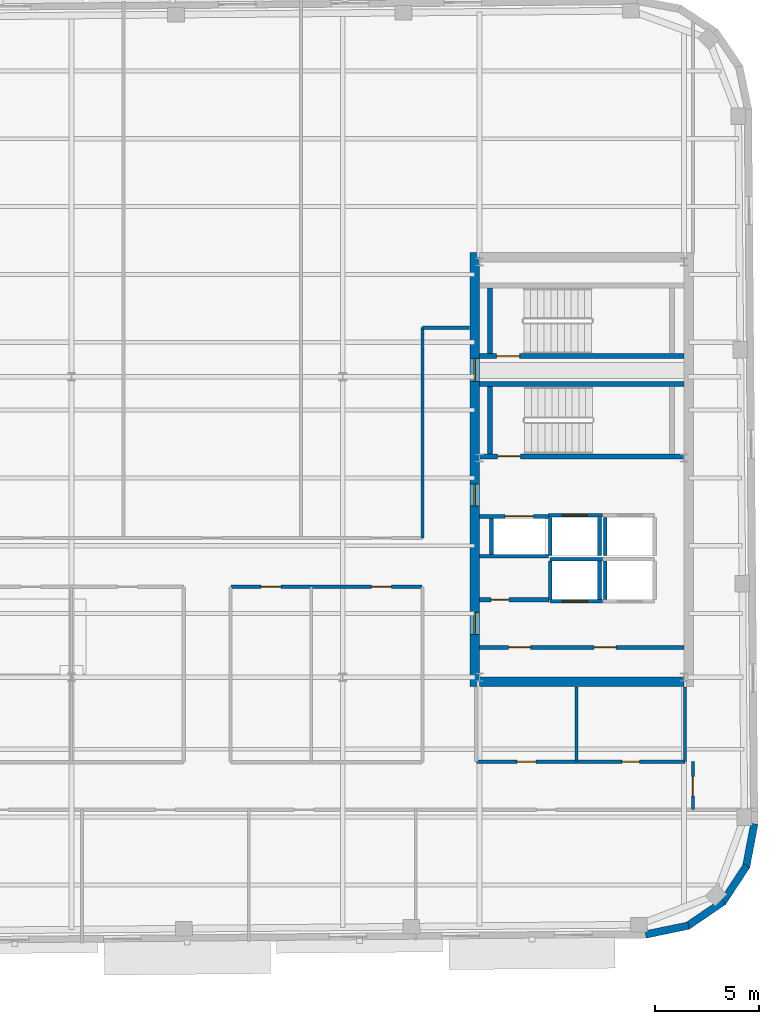
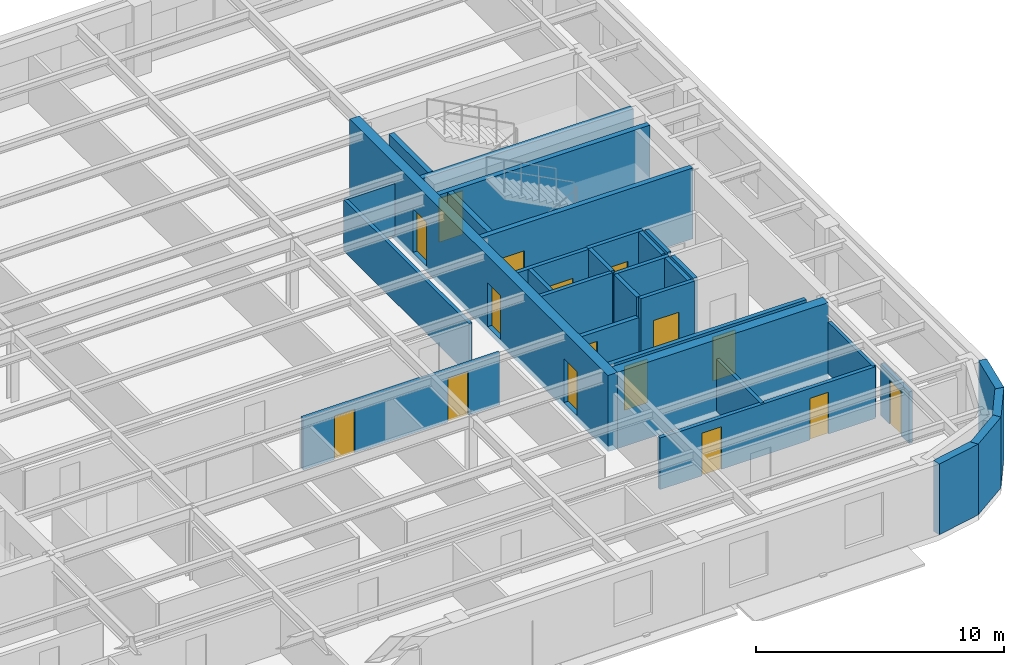
# One storey, part 8 of 13: 32 walls, 16 doors, 16 openings.
"""IFC4 building model written with IfcOpenShell, lengths in metres."""

from ifc_helpers import new_model, si_unit, direction, frame, frame_2d, origin, place, context, subcontext, project, spatial, rectangle, extrude, material, layer, layer_set, type_object, element, fill, save


model = new_model("IFC4")

# Units and contexts
model_context = context("Model", 3, precision=1e-05, world=origin(), true_north=direction((0.0, 1.0)))
body_context = subcontext(model_context, "Body", "Model", "MODEL_VIEW")
ifc_project = project(units=[si_unit("LENGTHUNIT", "METRE"), si_unit("AREAUNIT", "SQUARE_METRE"), si_unit("VOLUMEUNIT", "CUBIC_METRE"), si_unit("PLANEANGLEUNIT", "RADIAN"), si_unit("MASSUNIT", "GRAM", prefix="KILO")], contexts=[model_context])

# Site, building, storey
site_placement = place(None, origin())
site = spatial("IfcSite", under=ifc_project, at=site_placement, CompositionType="ELEMENT")
building_placement = place(site_placement, origin())
building = spatial("IfcBuilding", under=site, at=building_placement, Name="Kolvaren Arena Tower", CompositionType="ELEMENT")
storey_placement = place(building_placement, frame((0.0, 0.0, 286.14990234375)))
storey = spatial("IfcBuildingStorey", under=building, at=storey_placement, Name="L70", CompositionType="ELEMENT", Elevation=286.14990234375)

# Wall, openings, doors
ifc_material_1 = material(Name="Gypsum board acoustic assembly", Category="gypsum")
ifc_layer_1 = layer(ifc_material_1, 0.159912109375)
ifc_layer_set_1 = layer_set([ifc_layer_1], Name="Gypsum board acoustic assembly")
wall_type_1 = type_object("IfcWallType", Name="CORR-160", PredefinedType="PARTITIONING", material=ifc_layer_set_1)
wall_1_placement = place(storey_placement, frame((38.639892578125, 23.780029296875, 0.0), z_axis=(0.0, 0.0, 1.0), x_axis=(1.0, 0.0, 0.0)))
wall_1 = element("IfcWall", 1, at=wall_1_placement, inside=storey, type_object=wall_type_1, Name="Interior Partition Wall (L70)", PredefinedType="PARTITIONING", context=body_context, shape_type="SweptSolid", body=[
    extrude(rectangle(XDim=9.16015625, YDim=0.159912109375, at=frame_2d((4.580078125, 0.0))), origin(), (0.0, 0.0, 1.0), 2.5400390625),
])
opening_1_placement = place(wall_1_placement, frame((1.455078125, 0.0, 0.0)))
opening_1 = element("IfcOpeningElement", 2, at=opening_1_placement, cuts=wall_1, Name="Opening D05", PredefinedType="OPENING", context=body_context, shape_type="SweptSolid", body=[
    extrude(rectangle(XDim=0.949951171875, YDim=2.14990234375, at=frame_2d((0.47509765625, 1.074951171875))), frame((0.0, 0.08984375, 0.0), z_axis=(0.0, -1.0, 0.0), x_axis=(1.0, 0.0, 0.0)), (0.0, 0.0, 1.0), 0.179931640625),
])
opening_2_placement = place(wall_1_placement, frame((6.735107421875, 0.0, 0.0)))
opening_2 = element("IfcOpeningElement", 3, at=opening_2_placement, cuts=wall_1, Name="Opening D05", PredefinedType="OPENING", context=body_context, shape_type="SweptSolid", body=[
    extrude(rectangle(XDim=0.949951171875, YDim=2.14990234375, at=frame_2d((0.47509765625, 1.074951171875))), frame((0.0, 0.08984375, 0.0), z_axis=(0.0, -1.0, 0.0), x_axis=(1.0, 0.0, 0.0)), (0.0, 0.0, 1.0), 0.179931640625),
])
ifc_material_2 = material(Name="Solid-core oak acoustic office door", Category="wood")
door_type_1 = type_object("IfcDoorType", Name="DOOR-OF-095", OperationType="NOTDEFINED", PredefinedType="DOOR", material=ifc_material_2)
door_1_placement = place(opening_1_placement, origin())
door_1 = element("IfcDoor", 4, at=door_1_placement, inside=storey, type_object=door_type_1, Name="Breakout Pantry and Kitchen Door (L70)", OperationType="SINGLE_SWING_RIGHT", OverallHeight=2.14990234375, OverallWidth=0.949951171875, PredefinedType="DOOR", context=body_context, shape_type="SweptSolid", body=[
    extrude(rectangle(XDim=0.949951171875, YDim=2.14990234375, at=frame_2d((0.47509765625, 1.074951171875))), frame((0.0, 0.02490234375, 0.0), z_axis=(0.0, -1.0, 0.0), x_axis=(1.0, 0.0, 0.0)), (0.0, 0.0, 1.0), 0.050048828125),
])
fill(opening_1, door_1)
door_2_placement = place(opening_2_placement, origin())
door_2 = element("IfcDoor", 5, at=door_2_placement, inside=storey, type_object=door_type_1, Name="Client Lounge Door (L70)", OperationType="SINGLE_SWING_LEFT", OverallHeight=2.14990234375, OverallWidth=0.949951171875, PredefinedType="DOOR", context=body_context, shape_type="SweptSolid", body=[
    extrude(rectangle(XDim=0.949951171875, YDim=2.14990234375, at=frame_2d((0.47509765625, 1.074951171875))), frame((0.0, 0.02490234375, 0.0), z_axis=(0.0, -1.0, 0.0), x_axis=(1.0, 0.0, 0.0)), (0.0, 0.0, 1.0), 0.050048828125),
])
fill(opening_2, door_2)

# Walls
wall_2_placement = place(storey_placement, frame((47.820068359375, 26.1201171875, 0.0), z_axis=(0.0, 0.0, 1.0), x_axis=(0.0, 1.0, 0.0)))
element("IfcWall", 6, at=wall_2_placement, inside=storey, type_object=wall_type_1, Name="Interior Partition Wall (L70)", PredefinedType="PARTITIONING", context=body_context, shape_type="SweptSolid", body=[
    extrude(rectangle(XDim=10.079833984375, YDim=0.159912109375, at=frame_2d((5.0400390625, 0.0))), origin(), (0.0, 0.0, 1.0), 2.5400390625),
])
wall_3_placement = place(storey_placement, frame((47.820068359375, 36.199951171875, 0.0), z_axis=(0.0, 0.0, 1.0), x_axis=(1.0, 0.0, 0.0)))
element("IfcWall", 7, at=wall_3_placement, inside=storey, type_object=wall_type_1, Name="Interior Partition Wall (L70)", PredefinedType="PARTITIONING", context=body_context, shape_type="SweptSolid", body=[
    extrude(rectangle(XDim=2.260009765625, YDim=0.159912109375, at=frame_2d((1.1298828125, 0.0))), origin(), (0.0, 0.0, 1.0), 2.5400390625),
])

# Wall, opening, door
wall_4_placement = place(storey_placement, frame((60.780029296875, 13.10009765625, 0.0), z_axis=(0.0, 0.0, 1.0), x_axis=(0.0, 1.0, 0.0)))
wall_4 = element("IfcWall", 8, at=wall_4_placement, inside=storey, type_object=wall_type_1, Name="Interior Partition Wall (L70)", PredefinedType="PARTITIONING", context=body_context, shape_type="SweptSolid", body=[
    extrude(rectangle(XDim=2.2998046875, YDim=0.159912109375, at=frame_2d((1.14990234375, 0.0))), origin(), (0.0, 0.0, 1.0), 2.5400390625),
])
opening_3_placement = place(wall_4_placement, frame((0.64990234375, 0.0, 0.0)))
opening_3 = element("IfcOpeningElement", 9, at=opening_3_placement, cuts=wall_4, Name="Opening D05", PredefinedType="OPENING", context=body_context, shape_type="SweptSolid", body=[
    extrude(rectangle(XDim=0.949951171875, YDim=2.14990234375, at=frame_2d((0.47509765625, 1.074951171875))), frame((0.0, 0.08984375, 0.0), z_axis=(0.0, -1.0, 0.0), x_axis=(1.0, 0.0, 0.0)), (0.0, 0.0, 1.0), 0.179931640625),
])
door_3_placement = place(opening_3_placement, origin())
door_3 = element("IfcDoor", 10, at=door_3_placement, inside=storey, type_object=door_type_1, Name="East Wing Studio Door (L70)", OperationType="SINGLE_SWING_RIGHT", OverallHeight=2.14990234375, OverallWidth=0.949951171875, PredefinedType="DOOR", context=body_context, shape_type="SweptSolid", body=[
    extrude(rectangle(XDim=0.949951171875, YDim=2.14990234375, at=frame_2d((0.47509765625, 1.074951171875))), frame((0.0, 0.02490234375, 0.0), z_axis=(0.0, -1.0, 0.0), x_axis=(1.0, 0.0, 0.0)), (0.0, 0.0, 1.0), 0.050048828125),
])
fill(opening_3, door_3)

# Wall, openings, doors
ifc_material_3 = material(Name="Concrete 55 MPa", Category="concrete")
ifc_layer_2 = layer(ifc_material_3, 0.449951171875)
ifc_layer_set_2 = layer_set([ifc_layer_2], Name="Concrete 55 MPa")
wall_type_2 = type_object("IfcWallType", Name="CWALL-450", PredefinedType="SHEAR", material=ifc_layer_set_2)
wall_5_placement = place(storey_placement, frame((50.324951171875, 19.0, -0.27001953125), z_axis=(0.0, 0.0, 1.0), x_axis=(0.0, 1.0, 0.0)))
wall_5 = element("IfcWall", 11, at=wall_5_placement, inside=storey, type_object=wall_type_2, Name="Core Shear Wall EC-WEST (L70)", PredefinedType="SHEAR", context=body_context, shape_type="SweptSolid", body=[
    extrude(rectangle(XDim=20.800048828125, YDim=0.449951171875, at=frame_2d((10.39990234375, 0.0))), origin(), (0.0, 0.0, 1.0), 3.75),
])
opening_4_placement = place(wall_5_placement, frame((2.5, 0.0, 0.27001953125)))
opening_4 = element("IfcOpeningElement", 12, at=opening_4_placement, cuts=wall_5, Name="Opening D04", PredefinedType="OPENING", context=body_context, shape_type="SweptSolid", body=[
    extrude(rectangle(XDim=1.050048828125, YDim=2.14990234375, at=frame_2d((0.52490234375, 1.074951171875))), frame((0.0, 0.23486328125, 0.0), z_axis=(0.0, -1.0, 0.0), x_axis=(1.0, 0.0, 0.0)), (0.0, 0.0, 1.0), 0.469970703125),
])
opening_5_placement = place(wall_5_placement, frame((8.64990234375, 0.0, 0.27001953125)))
opening_5 = element("IfcOpeningElement", 13, at=opening_5_placement, cuts=wall_5, Name="Opening D04", PredefinedType="OPENING", context=body_context, shape_type="SweptSolid", body=[
    extrude(rectangle(XDim=1.050048828125, YDim=2.14990234375, at=frame_2d((0.52490234375, 1.074951171875))), frame((0.0, 0.23486328125, 0.0), z_axis=(0.0, -1.0, 0.0), x_axis=(1.0, 0.0, 0.0)), (0.0, 0.0, 1.0), 0.469970703125),
])
opening_6_placement = place(wall_5_placement, frame((14.6201171875, 0.0, 0.27001953125)))
opening_6 = element("IfcOpeningElement", 14, at=opening_6_placement, cuts=wall_5, Name="Opening D03", PredefinedType="OPENING", context=body_context, shape_type="SweptSolid", body=[
    extrude(rectangle(XDim=1.10009765625, YDim=2.14990234375, at=frame_2d((0.550048828125, 1.074951171875))), frame((0.0, 0.23486328125, 0.0), z_axis=(0.0, -1.0, 0.0), x_axis=(1.0, 0.0, 0.0)), (0.0, 0.0, 1.0), 0.469970703125),
])
ifc_material_4 = material(Name="Fire-rated steel lobby door", Category="steel")
door_type_2 = type_object("IfcDoorType", Name="DOOR-FF-105", OperationType="NOTDEFINED", PredefinedType="DOOR", material=ifc_material_4)
door_4_placement = place(opening_4_placement, origin())
door_4 = element("IfcDoor", 15, at=door_4_placement, inside=storey, type_object=door_type_2, Name="East Lift Lobby Fire Door (L70)", OperationType="SINGLE_SWING_RIGHT", OverallHeight=2.14990234375, OverallWidth=1.050048828125, PredefinedType="DOOR", context=body_context, shape_type="SweptSolid", body=[
    extrude(rectangle(XDim=1.050048828125, YDim=2.14990234375, at=frame_2d((0.52490234375, 1.074951171875))), frame((0.0, 0.02490234375, 0.0), z_axis=(0.0, -1.0, 0.0), x_axis=(1.0, 0.0, 0.0)), (0.0, 0.0, 1.0), 0.050048828125),
])
fill(opening_4, door_4)
door_5_placement = place(opening_5_placement, origin())
door_5 = element("IfcDoor", 16, at=door_5_placement, inside=storey, type_object=door_type_2, Name="East Firefighter Vestibule Door (L70)", OperationType="SINGLE_SWING_LEFT", OverallHeight=2.14990234375, OverallWidth=1.050048828125, PredefinedType="DOOR", context=body_context, shape_type="SweptSolid", body=[
    extrude(rectangle(XDim=1.050048828125, YDim=2.14990234375, at=frame_2d((0.52490234375, 1.074951171875))), frame((0.0, 0.02490234375, 0.0), z_axis=(0.0, -1.0, 0.0), x_axis=(1.0, 0.0, 0.0)), (0.0, 0.0, 1.0), 0.050048828125),
])
fill(opening_5, door_5)
ifc_material_5 = material(Name="Fire-rated steel exit stair door", Category="steel")
door_type_3 = type_object("IfcDoorType", Name="DOOR-ST-110", OperationType="NOTDEFINED", PredefinedType="DOOR", material=ifc_material_5)
door_6_placement = place(opening_6_placement, origin())
door_6 = element("IfcDoor", 17, at=door_6_placement, inside=storey, type_object=door_type_3, Name="Stair ST-E2 Vestibule Fire Door (L70)", OperationType="SINGLE_SWING_LEFT", OverallHeight=2.14990234375, OverallWidth=1.10009765625, PredefinedType="DOOR", context=body_context, shape_type="SweptSolid", body=[
    extrude(rectangle(XDim=1.10009765625, YDim=2.14990234375, at=frame_2d((0.550048828125, 1.074951171875))), frame((0.0, 0.02490234375, 0.0), z_axis=(0.0, -1.0, 0.0), x_axis=(1.0, 0.0, 0.0)), (0.0, 0.0, 1.0), 0.050048828125),
])
fill(opening_6, door_6)

# Walls
wall_6_placement = place(storey_placement, frame((50.550048828125, 19.22509765625, -0.27001953125), z_axis=(0.0, 0.0, 1.0), x_axis=(1.0, 0.0, 0.0)))
element("IfcWall", 18, at=wall_6_placement, inside=storey, type_object=wall_type_2, Name="Core Shear Wall EC-SOUTH (L70)", PredefinedType="SHEAR", context=body_context, shape_type="SweptSolid", body=[
    extrude(rectangle(XDim=9.800048828125, YDim=0.449951171875, at=frame_2d((4.89990234375, 0.0))), origin(), (0.0, 0.0, 1.0), 3.75),
])
ifc_material_6 = material(Name="Precast concrete C50/60", Category="concrete")
ifc_layer_3 = layer(ifc_material_6, 0.360107421875)
ifc_layer_set_3 = layer_set([ifc_layer_3], Name="Precast concrete C50/60")
wall_type_3 = type_object("IfcWallType", Name="EXT-PIER2", PredefinedType="SOLIDWALL", material=ifc_layer_set_3)
wall_7_placement = place(storey_placement, frame((60.572265625, 7.54931640625, 0.0), z_axis=(0.0, 0.0, 1.0), x_axis=(-0.979059388908, -0.203574833883, 0.0)))
element("IfcWall", 19, at=wall_7_placement, inside=storey, type_object=wall_type_3, Name="Exterior Precast Masonry-Frame Wall (L70)", PredefinedType="SOLIDWALL", context=body_context, shape_type="SweptSolid", body=[
    extrude(rectangle(XDim=2.107177734375, YDim=0.360107421875, at=frame_2d((1.0537109375, 0.0))), origin(), (0.0, 0.0, 1.0), 3.47998046875),
])
for number, where, z_axis, x_axis, name in (
    (20, (62.2490234375, 8.707763671875, 0.0), (0.0, 0.0, 1.0), (-0.826572866302, -0.562829722645, 0.0), "Exterior Precast Masonry-Frame Wall (L70)"),
    (21, (63.35498046875, 10.419921875, 0.0), (0.0, 0.0, 1.0), (-0.54818559406, -0.836356714844, 0.0), "Exterior Precast Masonry-Frame Wall (L70)"),
    (22, (63.7216796875, 12.4248046875, 0.0), (0.0, 0.0, 1.0), (-0.186435855703, -0.98246713518, 0.0), "Exterior Precast Masonry-Frame Wall (L70)"),
):
    element("IfcWall", number, at=place(storey_placement, frame(where, z_axis=z_axis, x_axis=x_axis)), inside=storey, type_object=wall_type_3, Name=name, PredefinedType="SOLIDWALL", context=body_context, shape_type="SweptSolid", body=[
        extrude(rectangle(XDim=2.10693359375, YDim=0.360107421875, at=frame_2d((1.053466796875, 0.0))), origin(), (0.0, 0.0, 1.0), 3.47998046875),
    ])

# Wall, openings, doors
ifc_material_7 = material(Name="Concrete 40 MPa", Category="concrete")
ifc_layer_4 = layer(ifc_material_7, 0.199951171875)
ifc_layer_set_4 = layer_set([ifc_layer_4], Name="Concrete 40 MPa")
wall_type_4 = type_object("IfcWallType", Name="LOBBY-200", PredefinedType="SOLIDWALL", material=ifc_layer_set_4)
wall_8_placement = place(storey_placement, frame((50.550048828125, 20.8798828125, 0.0), z_axis=(0.0, 0.0, 1.0), x_axis=(1.0, 0.0, 0.0)))
wall_8 = element("IfcWall", 23, at=wall_8_placement, inside=storey, type_object=wall_type_4, Name="Core Shaft Wall (L70)", PredefinedType="SOLIDWALL", context=body_context, shape_type="SweptSolid", body=[
    extrude(rectangle(XDim=9.800048828125, YDim=0.199951171875, at=frame_2d((4.89990234375, 0.0))), origin(), (0.0, 0.0, 1.0), 2.5400390625),
])
opening_7_placement = place(wall_8_placement, frame((1.39990234375, 0.0, 0.0)))
opening_7 = element("IfcOpeningElement", 24, at=opening_7_placement, cuts=wall_8, Name="Opening D04", PredefinedType="OPENING", context=body_context, shape_type="SweptSolid", body=[
    extrude(rectangle(XDim=1.050048828125, YDim=2.14990234375, at=frame_2d((0.52490234375, 1.074951171875))), frame((0.0, 0.10986328125, 0.0), z_axis=(0.0, -1.0, 0.0), x_axis=(1.0, 0.0, 0.0)), (0.0, 0.0, 1.0), 0.219970703125),
])
opening_8_placement = place(wall_8_placement, frame((5.5, 0.0, 0.0)))
opening_8 = element("IfcOpeningElement", 25, at=opening_8_placement, cuts=wall_8, Name="Opening D04", PredefinedType="OPENING", context=body_context, shape_type="SweptSolid", body=[
    extrude(rectangle(XDim=1.050048828125, YDim=2.14990234375, at=frame_2d((0.52490234375, 1.074951171875))), frame((0.0, 0.10986328125, 0.0), z_axis=(0.0, -1.0, 0.0), x_axis=(1.0, 0.0, 0.0)), (0.0, 0.0, 1.0), 0.219970703125),
])
door_7_placement = place(opening_7_placement, origin())
door_7 = element("IfcDoor", 26, at=door_7_placement, inside=storey, type_object=door_type_2, Name="East Telecom Room Fire Door (L70)", OperationType="SINGLE_SWING_RIGHT", OverallHeight=2.14990234375, OverallWidth=1.050048828125, PredefinedType="DOOR", context=body_context, shape_type="SweptSolid", body=[
    extrude(rectangle(XDim=1.050048828125, YDim=2.14990234375, at=frame_2d((0.52490234375, 1.074951171875))), frame((0.0, 0.02490234375, 0.0), z_axis=(0.0, -1.0, 0.0), x_axis=(1.0, 0.0, 0.0)), (0.0, 0.0, 1.0), 0.050048828125),
])
fill(opening_7, door_7)
door_8_placement = place(opening_8_placement, origin())
door_8 = element("IfcDoor", 27, at=door_8_placement, inside=storey, type_object=door_type_2, Name="East Records Room Fire Door (L70)", OperationType="SINGLE_SWING_LEFT", OverallHeight=2.14990234375, OverallWidth=1.050048828125, PredefinedType="DOOR", context=body_context, shape_type="SweptSolid", body=[
    extrude(rectangle(XDim=1.050048828125, YDim=2.14990234375, at=frame_2d((0.52490234375, 1.074951171875))), frame((0.0, 0.02490234375, 0.0), z_axis=(0.0, -1.0, 0.0), x_axis=(1.0, 0.0, 0.0)), (0.0, 0.0, 1.0), 0.050048828125),
])
fill(opening_8, door_8)

# Wall, opening, door
wall_9_placement = place(storey_placement, frame((50.550048828125, 23.159912109375, 0.0), z_axis=(0.0, 0.0, 1.0), x_axis=(1.0, 0.0, 0.0)))
wall_9 = element("IfcWall", 28, at=wall_9_placement, inside=storey, type_object=wall_type_4, Name="Core Shaft Wall (L70)", PredefinedType="SOLIDWALL", context=body_context, shape_type="SweptSolid", body=[
    extrude(rectangle(XDim=3.329833984375, YDim=0.199951171875, at=frame_2d((1.6650390625, 0.0))), origin(), (0.0, 0.0, 1.0), 2.5400390625),
])
opening_9_placement = place(wall_9_placement, frame((0.550048828125, 0.0, 0.0)))
opening_9 = element("IfcOpeningElement", 29, at=opening_9_placement, cuts=wall_9, Name="Opening D09", PredefinedType="OPENING", context=body_context, shape_type="SweptSolid", body=[
    extrude(rectangle(XDim=0.860107421875, YDim=2.050048828125, at=frame_2d((0.43017578125, 1.02490234375))), frame((0.0, 0.10986328125, 0.0), z_axis=(0.0, -1.0, 0.0), x_axis=(1.0, 0.0, 0.0)), (0.0, 0.0, 1.0), 0.219970703125),
])
ifc_material_8 = material(Name="Fire-rated steel riser access door", Category="steel")
door_type_4 = type_object("IfcDoorType", Name="DOOR-RS-086", OperationType="NOTDEFINED", PredefinedType="DOOR", material=ifc_material_8)
door_9_placement = place(opening_9_placement, origin())
door_9 = element("IfcDoor", 30, at=door_9_placement, inside=storey, type_object=door_type_4, Name="East AV Riser Closet Door (L70)", OperationType="SINGLE_SWING_LEFT", OverallHeight=2.050048828125, OverallWidth=0.860107421875, PredefinedType="DOOR", context=body_context, shape_type="SweptSolid", body=[
    extrude(rectangle(XDim=0.860107421875, YDim=2.050048828125, at=frame_2d((0.43017578125, 1.02490234375))), frame((0.0, 0.02490234375, 0.0), z_axis=(0.0, -1.0, 0.0), x_axis=(1.0, 0.0, 0.0)), (0.0, 0.0, 1.0), 0.050048828125),
])
fill(opening_9, door_9)

ifc_material_9 = material(Name="Concrete 45 MPa", Category="concrete")
ifc_layer_5 = layer(ifc_material_9, 0.25)
ifc_layer_set_5 = layer_set([ifc_layer_5], Name="Concrete 45 MPa")
wall_type_5 = type_object("IfcWallType", Name="SHAFT-250", PredefinedType="SOLIDWALL", material=ifc_layer_set_5)
wall_10_placement = place(storey_placement, frame((60.35009765625, 30.030029296875, 0.0), z_axis=(0.0, 0.0, 1.0), x_axis=(-1.0, 0.0, 0.0)))
wall_10 = element("IfcWall", 31, at=wall_10_placement, inside=storey, type_object=wall_type_5, Name="Core Shaft Wall (L70)", PredefinedType="SOLIDWALL", context=body_context, shape_type="SweptSolid", body=[
    extrude(rectangle(XDim=9.800048828125, YDim=0.239990234375, at=frame_2d((4.89990234375, 0.0))), origin(), (0.0, 0.0, 1.0), 3.47998046875),
])
opening_10_placement = place(wall_10_placement, frame((7.830078125, 0.0, 0.0)))
opening_10 = element("IfcOpeningElement", 32, at=opening_10_placement, cuts=wall_10, Name="Opening D03", PredefinedType="OPENING", context=body_context, shape_type="SweptSolid", body=[
    extrude(rectangle(XDim=1.10009765625, YDim=2.14990234375, at=frame_2d((0.550048828125, 1.074951171875))), frame((0.0, 0.1298828125, 0.0), z_axis=(0.0, -1.0, 0.0), x_axis=(1.0, 0.0, 0.0)), (0.0, 0.0, 1.0), 0.260009765625),
])
door_10_placement = place(opening_10_placement, origin())
door_10 = element("IfcDoor", 33, at=door_10_placement, inside=storey, type_object=door_type_3, Name="Stair ST-E1 Fire Door (L70)", OperationType="SINGLE_SWING_LEFT", OverallHeight=2.14990234375, OverallWidth=1.10009765625, PredefinedType="DOOR", context=body_context, shape_type="SweptSolid", body=[
    extrude(rectangle(XDim=1.10009765625, YDim=2.14990234375, at=frame_2d((0.550048828125, 1.074951171875))), frame((0.0, 0.02490234375, 0.0), z_axis=(0.0, -1.0, 0.0), x_axis=(1.0, 0.0, 0.0)), (0.0, 0.0, 1.0), 0.050048828125),
])
fill(opening_10, door_10)

# Walls
wall_11_placement = place(storey_placement, frame((50.550048828125, 33.5, 0.0), z_axis=(0.0, 0.0, 1.0), x_axis=(1.0, 0.0, 0.0)))
element("IfcWall", 34, at=wall_11_placement, inside=storey, type_object=wall_type_5, Name="Core Shaft Wall (L70)", PredefinedType="SOLIDWALL", context=body_context, shape_type="SweptSolid", body=[
    extrude(rectangle(XDim=9.800048828125, YDim=0.239990234375, at=frame_2d((4.89990234375, 0.0))), origin(), (0.0, 0.0, 1.0), 3.47998046875),
])
wall_12_placement = place(storey_placement, frame((51.06005859375, 30.14990234375, 0.0), z_axis=(0.0, 0.0, 1.0), x_axis=(0.0, 1.0, 0.0)))
element("IfcWall", 35, at=wall_12_placement, inside=storey, type_object=wall_type_5, Name="Core Shaft Wall (L70)", PredefinedType="SOLIDWALL", context=body_context, shape_type="SweptSolid", body=[
    extrude(rectangle(XDim=3.22998046875, YDim=0.239990234375, at=frame_2d((1.614990234375, 0.0))), origin(), (0.0, 0.0, 1.0), 3.47998046875),
])

# Wall, opening, door
wall_13_placement = place(storey_placement, frame((60.35009765625, 34.830078125, 0.0), z_axis=(0.0, 0.0, 1.0), x_axis=(-1.0, 0.0, 0.0)))
wall_13 = element("IfcWall", 36, at=wall_13_placement, inside=storey, type_object=wall_type_5, Name="Core Shaft Wall (L70)", PredefinedType="SOLIDWALL", context=body_context, shape_type="SweptSolid", body=[
    extrude(rectangle(XDim=9.800048828125, YDim=0.239990234375, at=frame_2d((4.89990234375, 0.0))), origin(), (0.0, 0.0, 1.0), 3.47998046875),
])
opening_11_placement = place(wall_13_placement, frame((7.8701171875, 0.0, 0.0)))
opening_11 = element("IfcOpeningElement", 37, at=opening_11_placement, cuts=wall_13, Name="Opening D03", PredefinedType="OPENING", context=body_context, shape_type="SweptSolid", body=[
    extrude(rectangle(XDim=1.10009765625, YDim=2.14990234375, at=frame_2d((0.550048828125, 1.074951171875))), frame((0.0, 0.1298828125, 0.0), z_axis=(0.0, -1.0, 0.0), x_axis=(1.0, 0.0, 0.0)), (0.0, 0.0, 1.0), 0.260009765625),
])
door_11_placement = place(opening_11_placement, origin())
door_11 = element("IfcDoor", 38, at=door_11_placement, inside=storey, type_object=door_type_3, Name="Stair ST-E2 Fire Door (L70)", OperationType="SINGLE_SWING_LEFT", OverallHeight=2.14990234375, OverallWidth=1.10009765625, PredefinedType="DOOR", context=body_context, shape_type="SweptSolid", body=[
    extrude(rectangle(XDim=1.10009765625, YDim=2.14990234375, at=frame_2d((0.550048828125, 1.074951171875))), frame((0.0, 0.02490234375, 0.0), z_axis=(0.0, -1.0, 0.0), x_axis=(1.0, 0.0, 0.0)), (0.0, 0.0, 1.0), 0.050048828125),
])
fill(opening_11, door_11)

# Walls
wall_14_placement = place(storey_placement, frame((51.06005859375, 34.949951171875, 0.0), z_axis=(0.0, 0.0, 1.0), x_axis=(0.0, 1.0, 0.0)))
element("IfcWall", 39, at=wall_14_placement, inside=storey, type_object=wall_type_5, Name="Core Shaft Wall (L70)", PredefinedType="SOLIDWALL", context=body_context, shape_type="SweptSolid", body=[
    extrude(rectangle(XDim=3.150146484375, YDim=0.239990234375, at=frame_2d((1.5751953125, 0.0))), origin(), (0.0, 0.0, 1.0), 3.47998046875),
])
wall_15_placement = place(storey_placement, frame((53.93994140625, 25.10498046875, 0.0), z_axis=(0.0, 0.0, 1.0), x_axis=(1.0, 0.0, 0.0)))
element("IfcWall", 40, at=wall_15_placement, inside=storey, type_object=wall_type_5, Name="Core Shaft Wall (L70)", PredefinedType="SOLIDWALL", context=body_context, shape_type="SweptSolid", body=[
    extrude(rectangle(XDim=2.5, YDim=0.179931640625, at=frame_2d((1.25, 0.0))), origin(), (0.0, 0.0, 1.0), 3.47998046875),
])

# Wall, opening, door
wall_16_placement = place(storey_placement, frame((53.93994140625, 23.094970703125, 0.0), z_axis=(0.0, 0.0, 1.0), x_axis=(1.0, 0.0, 0.0)))
wall_16 = element("IfcWall", 41, at=wall_16_placement, inside=storey, type_object=wall_type_5, Name="Core Shaft Wall (L70)", PredefinedType="SOLIDWALL", context=body_context, shape_type="SweptSolid", body=[
    extrude(rectangle(XDim=2.5, YDim=0.179931640625, at=frame_2d((1.25, 0.0))), origin(), (0.0, 0.0, 1.0), 3.47998046875),
])
opening_12_placement = place(wall_16_placement, frame((0.580078125, 0.0, 0.0)))
opening_12 = element("IfcOpeningElement", 42, at=opening_12_placement, cuts=wall_16, Name="Opening LD1", PredefinedType="OPENING", context=body_context, shape_type="SweptSolid", body=[
    extrude(rectangle(XDim=1.199951171875, YDim=2.199951171875, at=frame_2d((0.60009765625, 1.10009765625))), frame((0.0, 0.099853515625, 0.0), z_axis=(0.0, -1.0, 0.0), x_axis=(1.0, 0.0, 0.0)), (0.0, 0.0, 1.0), 0.199951171875),
])
ifc_material_10 = material(Name="Stainless steel passenger lift landing door", Category="steel")
door_type_5 = type_object("IfcDoorType", Name="DOOR-LD-120", OperationType="DOUBLE_DOOR_SLIDING", PredefinedType="DOOR", material=ifc_material_10)
door_12_placement = place(opening_12_placement, origin())
door_12 = element("IfcDoor", 43, at=door_12_placement, inside=storey, type_object=door_type_5, Name="Lift EL-HR1 Landing Door (L70)", OperationType="DOUBLE_DOOR_SLIDING", OverallHeight=2.199951171875, OverallWidth=1.199951171875, PredefinedType="DOOR", context=body_context, shape_type="SweptSolid", body=[
    extrude(rectangle(XDim=1.199951171875, YDim=2.199951171875, at=frame_2d((0.60009765625, 1.10009765625))), frame((0.0, 0.02490234375, 0.0), z_axis=(0.0, -1.0, 0.0), x_axis=(1.0, 0.0, 0.0)), (0.0, 0.0, 1.0), 0.050048828125),
])
fill(opening_12, door_12)

# Walls
for number, where, z_axis, x_axis, name in (
    (44, (53.93994140625, 23.18505859375, 0.0), (0.0, 0.0, 1.0), (0.0, 1.0, 0.0), "Core Shaft Wall (L70)"),
    (45, (56.300048828125, 23.18505859375, 0.0), (0.0, 0.0, 1.0), (0.0, 1.0, 0.0), "Core Shaft Wall (L70)"),
    (46, (56.580078125, 23.18505859375, 0.0), (0.0, 0.0, 1.0), (0.0, 1.0, 0.0), "Core Shaft Wall (L70)"),
):
    element("IfcWall", number, at=place(storey_placement, frame(where, z_axis=z_axis, x_axis=x_axis)), inside=storey, type_object=wall_type_5, Name=name, PredefinedType="SOLIDWALL", context=body_context, shape_type="SweptSolid", body=[
        extrude(rectangle(XDim=1.829833984375, YDim=0.179931640625, at=frame_2d((0.9150390625, 0.0))), origin(), (0.0, 0.0, 1.0), 3.47998046875),
    ])

# Wall, opening, door
wall_17_placement = place(storey_placement, frame((53.864990234375, 27.205078125, 0.0), z_axis=(0.0, 0.0, 1.0), x_axis=(1.0, 0.0, 0.0)))
wall_17 = element("IfcWall", 47, at=wall_17_placement, inside=storey, type_object=wall_type_5, Name="Core Shaft Wall (L70)", PredefinedType="SOLIDWALL", context=body_context, shape_type="SweptSolid", body=[
    extrude(rectangle(XDim=2.574951171875, YDim=0.179931640625, at=frame_2d((1.28759765625, 0.0))), origin(), (0.0, 0.0, 1.0), 3.47998046875),
])
opening_13_placement = place(wall_17_placement, frame((0.655029296875, 0.0, 0.0)))
opening_13 = element("IfcOpeningElement", 48, at=opening_13_placement, cuts=wall_17, Name="Opening LD1", PredefinedType="OPENING", context=body_context, shape_type="SweptSolid", body=[
    extrude(rectangle(XDim=1.199951171875, YDim=2.199951171875, at=frame_2d((0.60009765625, 1.10009765625))), frame((0.0, 0.099853515625, 0.0), z_axis=(0.0, -1.0, 0.0), x_axis=(1.0, 0.0, 0.0)), (0.0, 0.0, 1.0), 0.199951171875),
])
door_13_placement = place(opening_13_placement, origin())
door_13 = element("IfcDoor", 49, at=door_13_placement, inside=storey, type_object=door_type_5, Name="Lift EL-HR3 Landing Door (L70)", OperationType="DOUBLE_DOOR_SLIDING", OverallHeight=2.199951171875, OverallWidth=1.199951171875, PredefinedType="DOOR", context=body_context, shape_type="SweptSolid", body=[
    extrude(rectangle(XDim=1.199951171875, YDim=2.199951171875, at=frame_2d((0.60009765625, 1.10009765625))), frame((0.0, 0.02490234375, 0.0), z_axis=(0.0, -1.0, 0.0), x_axis=(1.0, 0.0, 0.0)), (0.0, 0.0, 1.0), 0.050048828125),
])
fill(opening_13, door_13)

# Walls
for number, where, z_axis, x_axis, name in (
    (50, (53.93994140625, 25.284912109375, 0.0), (0.0, 0.0, 1.0), (0.0, 1.0, 0.0), "Core Shaft Wall (L70)"),
    (51, (56.300048828125, 25.284912109375, 0.0), (0.0, 0.0, 1.0), (0.0, 1.0, 0.0), "Core Shaft Wall (L70)"),
    (52, (56.580078125, 25.284912109375, 0.0), (0.0, 0.0, 1.0), (0.0, 1.0, 0.0), "Core Shaft Wall (L70)"),
):
    element("IfcWall", number, at=place(storey_placement, frame(where, z_axis=z_axis, x_axis=x_axis)), inside=storey, type_object=wall_type_5, Name=name, PredefinedType="SOLIDWALL", context=body_context, shape_type="SweptSolid", body=[
        extrude(rectangle(XDim=1.830078125, YDim=0.179931640625, at=frame_2d((0.9150390625, 0.0))), origin(), (0.0, 0.0, 1.0), 3.47998046875),
    ])

# Wall, opening, door
wall_18_placement = place(storey_placement, frame((50.550048828125, 27.155029296875, 0.0), z_axis=(0.0, 0.0, 1.0), x_axis=(1.0, 0.0, 0.0)))
wall_18 = element("IfcWall", 53, at=wall_18_placement, inside=storey, type_object=wall_type_5, Name="Core Shaft Wall (L70)", PredefinedType="SOLIDWALL", context=body_context, shape_type="SweptSolid", body=[
    extrude(rectangle(XDim=3.31494140625, YDim=0.179931640625, at=frame_2d((1.657470703125, 0.0))), origin(), (0.0, 0.0, 1.0), 3.47998046875),
])
opening_14_placement = place(wall_18_placement, frame((1.235107421875, 0.0, 0.0)))
opening_14 = element("IfcOpeningElement", 54, at=opening_14_placement, cuts=wall_18, Name="Opening LD2", PredefinedType="OPENING", context=body_context, shape_type="SweptSolid", body=[
    extrude(rectangle(XDim=1.35009765625, YDim=2.300048828125, at=frame_2d((0.675048828125, 1.14990234375))), frame((0.0, 0.099853515625, 0.0), z_axis=(0.0, -1.0, 0.0), x_axis=(1.0, 0.0, 0.0)), (0.0, 0.0, 1.0), 0.199951171875),
])
ifc_material_11 = material(Name="Stainless steel firefighter lift landing door", Category="steel")
door_type_6 = type_object("IfcDoorType", Name="DOOR-LD-135", OperationType="DOUBLE_DOOR_SLIDING", PredefinedType="DOOR", material=ifc_material_11)
door_14_placement = place(opening_14_placement, origin())
door_14 = element("IfcDoor", 55, at=door_14_placement, inside=storey, type_object=door_type_6, Name="Firefighter Lift FF-E1 Landing Door (L70)", OperationType="DOUBLE_DOOR_SLIDING", OverallHeight=2.300048828125, OverallWidth=1.35009765625, PredefinedType="DOOR", context=body_context, shape_type="SweptSolid", body=[
    extrude(rectangle(XDim=1.35009765625, YDim=2.300048828125, at=frame_2d((0.675048828125, 1.14990234375))), frame((0.0, 0.02490234375, 0.0), z_axis=(0.0, -1.0, 0.0), x_axis=(1.0, 0.0, 0.0)), (0.0, 0.0, 1.0), 0.050048828125),
])
fill(opening_14, door_14)

# Walls
wall_19_placement = place(storey_placement, frame((50.550048828125, 25.2451171875, 0.0), z_axis=(0.0, 0.0, 1.0), x_axis=(1.0, 0.0, 0.0)))
element("IfcWall", 56, at=wall_19_placement, inside=storey, type_object=wall_type_5, Name="Core Shaft Wall (L70)", PredefinedType="SOLIDWALL", context=body_context, shape_type="SweptSolid", body=[
    extrude(rectangle(XDim=3.31494140625, YDim=0.179931640625, at=frame_2d((1.657470703125, 0.0))), origin(), (0.0, 0.0, 1.0), 3.47998046875),
])
wall_20_placement = place(storey_placement, frame((51.1298828125, 25.3349609375, 0.0), z_axis=(0.0, 0.0, 1.0), x_axis=(0.0, 1.0, 0.0)))
element("IfcWall", 57, at=wall_20_placement, inside=storey, type_object=wall_type_5, Name="Core Shaft Wall (L70)", PredefinedType="SOLIDWALL", context=body_context, shape_type="SweptSolid", body=[
    extrude(rectangle(XDim=1.72998046875, YDim=0.179931640625, at=frame_2d((0.864990234375, 0.0))), origin(), (0.0, 0.0, 1.0), 3.47998046875),
])

# Wall, openings, doors
wall_21_placement = place(storey_placement, frame((50.39990234375, 15.39990234375, 0.0), z_axis=(0.0, 0.0, 1.0), x_axis=(1.0, 0.0, 0.0)))
wall_21 = element("IfcWall", 58, at=wall_21_placement, inside=storey, type_object=wall_type_5, Name="Interior Partition Wall (L70)", PredefinedType="SOLIDWALL", context=body_context, shape_type="SweptSolid", body=[
    extrude(rectangle(XDim=10.0, YDim=0.179931640625, at=frame_2d((5.0, 0.0))), origin(), (0.0, 0.0, 1.0), 2.5400390625),
])
opening_15_placement = place(wall_21_placement, frame((1.93994140625, 0.0, 0.0)))
opening_15 = element("IfcOpeningElement", 59, at=opening_15_placement, cuts=wall_21, Name="Opening D07", PredefinedType="OPENING", context=body_context, shape_type="SweptSolid", body=[
    extrude(rectangle(XDim=0.919921875, YDim=2.10009765625, at=frame_2d((0.4599609375, 1.050048828125))), frame((0.0, 0.099853515625, 0.0), z_axis=(0.0, -1.0, 0.0), x_axis=(1.0, 0.0, 0.0)), (0.0, 0.0, 1.0), 0.199951171875),
])
opening_16_placement = place(wall_21_placement, frame((6.969970703125, 0.0, 0.0)))
opening_16 = element("IfcOpeningElement", 60, at=opening_16_placement, cuts=wall_21, Name="Opening D09", PredefinedType="OPENING", context=body_context, shape_type="SweptSolid", body=[
    extrude(rectangle(XDim=0.860107421875, YDim=2.050048828125, at=frame_2d((0.43017578125, 1.02490234375))), frame((0.0, 0.099853515625, 0.0), z_axis=(0.0, -1.0, 0.0), x_axis=(1.0, 0.0, 0.0)), (0.0, 0.0, 1.0), 0.199951171875),
])
door_15_placement = place(opening_16_placement, origin())
door_15 = element("IfcDoor", 61, at=door_15_placement, inside=storey, type_object=door_type_4, Name="Electrical Riser Closet Door (L70)", OperationType="SINGLE_SWING_LEFT", OverallHeight=2.050048828125, OverallWidth=0.860107421875, PredefinedType="DOOR", context=body_context, shape_type="SweptSolid", body=[
    extrude(rectangle(XDim=0.860107421875, YDim=2.050048828125, at=frame_2d((0.43017578125, 1.02490234375))), frame((0.0, 0.02490234375, 0.0), z_axis=(0.0, -1.0, 0.0), x_axis=(1.0, 0.0, 0.0)), (0.0, 0.0, 1.0), 0.050048828125),
])
fill(opening_16, door_15)
ifc_material_12 = material(Name="Laminate universal washroom door", Category="wood")
door_type_7 = type_object("IfcDoorType", Name="DOOR-WC-092", OperationType="NOTDEFINED", PredefinedType="DOOR", material=ifc_material_12)
door_16_placement = place(opening_15_placement, origin())
door_16 = element("IfcDoor", 62, at=door_16_placement, inside=storey, type_object=door_type_7, Name="Cleaner and Janitor Store Door (L70)", OperationType="SINGLE_SWING_RIGHT", OverallHeight=2.10009765625, OverallWidth=0.919921875, PredefinedType="DOOR", context=body_context, shape_type="SweptSolid", body=[
    extrude(rectangle(XDim=0.919921875, YDim=2.10009765625, at=frame_2d((0.4599609375, 1.050048828125))), frame((0.0, 0.02490234375, 0.0), z_axis=(0.0, -1.0, 0.0), x_axis=(1.0, 0.0, 0.0)), (0.0, 0.0, 1.0), 0.050048828125),
])
fill(opening_15, door_16)

# Walls
ifc_material_13 = material(Name="Moisture-resistant gypsum assembly", Category="gypsum")
ifc_layer_6 = layer(ifc_material_13, 0.14990234375)
ifc_layer_set_6 = layer_set([ifc_layer_6], Name="Moisture-resistant gypsum assembly")
wall_type_6 = type_object("IfcWallType", Name="WETW-150", PredefinedType="PARTITIONING", material=ifc_layer_set_6)
for number, where, z_axis, x_axis, name in (
    (63, (55.199951171875, 15.39990234375, 0.0), (0.0, 0.0, 1.0), (0.0, 1.0, 0.0), "Interior Partition Wall (L70)"),
    (64, (60.39990234375, 15.39990234375, 0.0), (0.0, 0.0, 1.0), (0.0, 1.0, 0.0), "Interior Partition Wall (L70)"),
):
    element("IfcWall", number, at=place(storey_placement, frame(where, z_axis=z_axis, x_axis=x_axis)), inside=storey, type_object=wall_type_6, Name=name, PredefinedType="PARTITIONING", context=body_context, shape_type="SweptSolid", body=[
        extrude(rectangle(XDim=3.580078125, YDim=0.14990234375, at=frame_2d((1.7900390625, 0.0))), origin(), (0.0, 0.0, 1.0), 2.5400390625),
    ])

save(model, "model.ifc")
